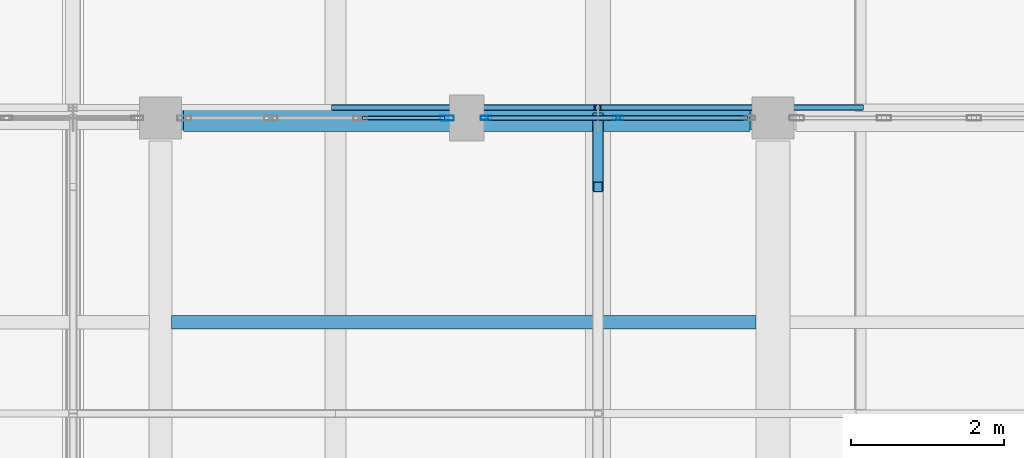
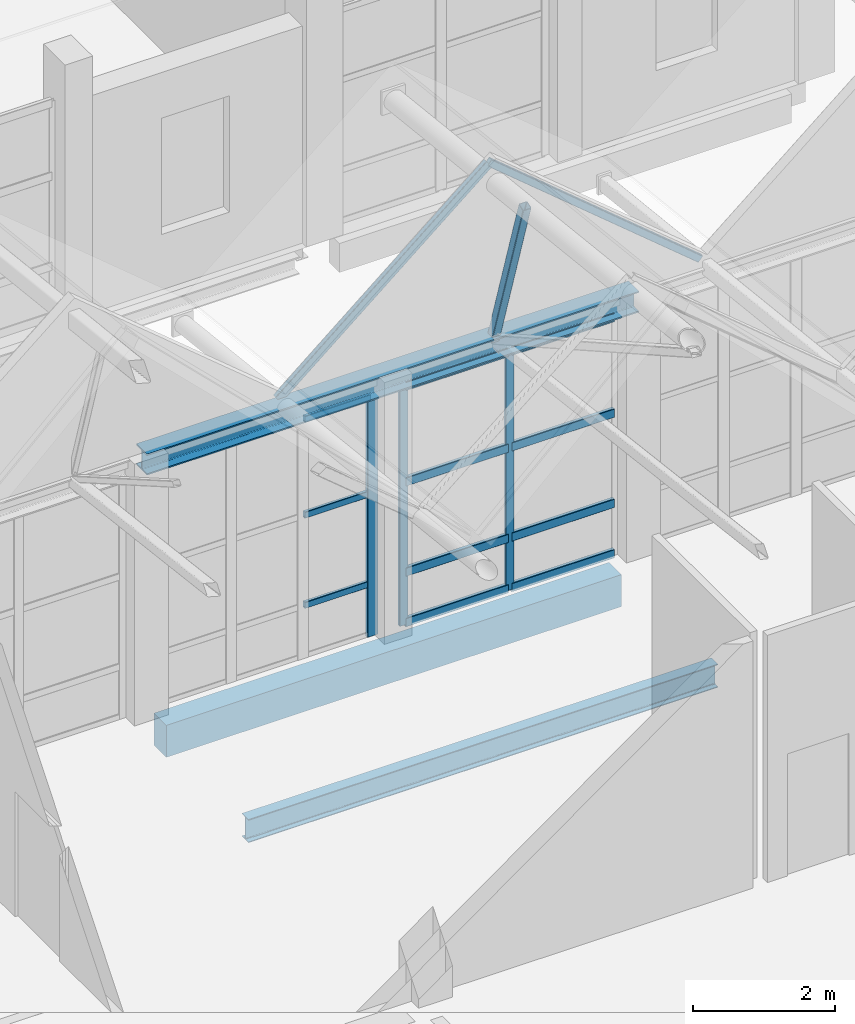
# One storey, part 82 of 183: 17 members, 3 beams, 2 elements without a shape of their own.
"""IFC4 building model written with IfcOpenShell, lengths in metres."""

from ifc_helpers import new_model, si_unit, direction, frame, origin, origin_2d, place, context, subcontext, project, spatial, rectangle, hollow_rectangle, i_section, extrude, material, material_profile, profile_set, type_object, element, aggregate, save


model = new_model("IFC4")

# Units and contexts
model_context = context("Model", 3, precision=1e-05, world=origin(), true_north=direction((0.0, 1.0)))
body_context = subcontext(model_context, "Body", "Model", "MODEL_VIEW")
ifc_project = project(units=[si_unit("LENGTHUNIT", "METRE"), si_unit("AREAUNIT", "SQUARE_METRE"), si_unit("VOLUMEUNIT", "CUBIC_METRE"), si_unit("PLANEANGLEUNIT", "RADIAN"), si_unit("MASSUNIT", "GRAM", prefix="KILO")], contexts=[model_context])

# Site, building, storey
site_placement = place(None, origin())
site = spatial("IfcSite", under=ifc_project, at=site_placement, CompositionType="ELEMENT")
building_placement = place(site_placement, origin())
building = spatial("IfcBuilding", under=site, at=building_placement, Name="Luwemba Playhouse", CompositionType="ELEMENT")
storey_placement = place(building_placement, frame((0.0, 0.0, 4.800048828125)))
storey = spatial("IfcBuildingStorey", under=building, at=storey_placement, Name="L01", CompositionType="ELEMENT", Elevation=4.800048828125)

# Beams
ifc_material_1 = material(Name="Steel S355", Category="steel")
ifc_material_profile_1 = material_profile(ifc_material_1, i_section(OverallWidth=0.300048828125, OverallDepth=0.360107421875, WebThickness=0.012451171875, FlangeThickness=0.0224609375, FilletRadius=0.027099609375, at=origin_2d()))
ifc_profile_set_1 = profile_set([ifc_material_profile_1], Name="Steel S355")
beam_type_1 = type_object("IfcBeamType", Name="BM-SB09", PredefinedType="BEAM", material=ifc_profile_set_1)
beam_1_placement = place(storey_placement, frame((156.0, 27.0, 4.320068359375), z_axis=(1.0, 0.0, 0.0), x_axis=(0.0, 1.0, 0.0)))
element("IfcBeam", 1, at=beam_1_placement, inside=storey, type_object=beam_type_1, Name="RF-V5E eave ring beam 0301", PredefinedType="BEAM", context=body_context, shape_type="SweptSolid", body=[
    extrude(i_section(OverallWidth=0.300048828125, OverallDepth=0.360107421875, WebThickness=0.012451171875, FlangeThickness=0.0224609375, FilletRadius=0.027099609375, at=origin_2d()), origin(), (0.0, 0.0, 1.0), 8.0),
])
ifc_material_profile_2 = material_profile(ifc_material_1, i_section(OverallWidth=0.179931640625, OverallDepth=0.39990234375, WebThickness=0.008544921875, FlangeThickness=0.013427734375, FilletRadius=0.02099609375, at=origin_2d()))
ifc_profile_set_2 = profile_set([ifc_material_profile_2], Name="Steel S355")
beam_type_2 = type_object("IfcBeamType", Name="BM-SJ08", PredefinedType="JOIST", material=ifc_profile_set_2)
beam_2_placement = place(storey_placement, frame((156.14599609375, 24.333251953125, -0.449951171875), z_axis=(1.0, 0.0, 0.0), x_axis=(0.0, 1.0, 0.0)))
element("IfcBeam", 2, at=beam_2_placement, inside=storey, type_object=beam_type_2, Name="L01 composite floor joist 0333", PredefinedType="JOIST", context=body_context, shape_type="SweptSolid", body=[
    extrude(i_section(OverallWidth=0.179931640625, OverallDepth=0.39990234375, WebThickness=0.008544921875, FlangeThickness=0.013427734375, FilletRadius=0.02099609375, at=origin_2d()), origin(), (0.0, 0.0, 1.0), 7.633056640625),
])
ifc_material_2 = material(Name="Concrete C40/50", Category="concrete")
ifc_material_profile_3 = material_profile(ifc_material_2, rectangle(XDim=0.35009765625, YDim=0.550048828125, at=origin_2d()))
ifc_profile_set_3 = profile_set([ifc_material_profile_3], Name="Concrete C40/50")
beam_type_3 = type_object("IfcBeamType", Name="BM-SP2", PredefinedType="SPANDREL", material=ifc_profile_set_3)
beam_3_placement = place(storey_placement, frame((156.300048828125, 27.0, -0.525146484375), z_axis=(1.0, 0.0, 0.0), x_axis=(0.0, 1.0, 0.0)))
element("IfcBeam", 3, at=beam_3_placement, inside=storey, type_object=beam_type_3, Name="L01 grid girder 0541", PredefinedType="SPANDREL", context=body_context, shape_type="SweptSolid", body=[
    extrude(rectangle(XDim=0.35009765625, YDim=0.550048828125, at=origin_2d()), origin(), (0.0, 0.0, 1.0), 7.39990234375),
])

# Curtain wall, member
ifc_material_3 = material(Name="Solar-control double glazing", Category="glass")
curtain_wall_type_1 = type_object("IfcCurtainWallType", Name="CW-CW125", PredefinedType="USERDEFINED", material=ifc_material_3)
curtain_wall_1_placement = place(storey_placement, origin())
curtain_wall_1 = element("IfcCurtainWall", 4, at=curtain_wall_1_placement, inside=storey, type_object=curtain_wall_type_1, Name="L01 V5E unitised curtain wall 163", ObjectType="UNITISED GLAZING", PredefinedType="USERDEFINED")
ifc_material_4 = material(Name="Aluminium 6063-T6", Category="aluminium")
ifc_material_profile_4 = material_profile(ifc_material_4, hollow_rectangle(XDim=0.06494140625, YDim=0.179931640625, WallThickness=0.00439453125, InnerFilletRadius=0.0068359375, OuterFilletRadius=0.01123046875, at=origin_2d()))
ifc_profile_set_4 = profile_set([ifc_material_profile_4], Name="Aluminium 6063-T6")
member_type_1 = type_object("IfcMemberType", Name="CWM-M2", PredefinedType="MULLION", material=ifc_profile_set_4)
member_1_placement = place(storey_placement, frame((159.742431640625, 27.0, 0.0), z_axis=(0.0, 0.0, 1.0), x_axis=(0.0, 1.0, 0.0)))
member_1 = element("IfcMember", 5, at=member_1_placement, type_object=member_type_1, Name="CW125 mullion 4", PredefinedType="MULLION", context=body_context, shape_type="SweptSolid", body=[
    extrude(hollow_rectangle(XDim=0.06494140625, YDim=0.179931640625, WallThickness=0.00439453125, InnerFilletRadius=0.0068359375, OuterFilletRadius=0.01123046875, at=origin_2d()), origin(), (0.0, 0.0, 1.0), 4.125),
])

# Curtain wall, members
curtain_wall_type_2 = type_object("IfcCurtainWallType", Name="CW-CW126", PredefinedType="USERDEFINED", material=ifc_material_3)
curtain_wall_2_placement = place(storey_placement, origin())
curtain_wall_2 = element("IfcCurtainWall", 6, at=curtain_wall_2_placement, inside=storey, type_object=curtain_wall_type_2, Name="L01 V5E unitised curtain wall 164", ObjectType="UNITISED GLAZING", PredefinedType="USERDEFINED")
ifc_material_profile_5 = material_profile(ifc_material_4, hollow_rectangle(XDim=0.054931640625, YDim=0.139892578125, WallThickness=0.00390625, InnerFilletRadius=0.006103515625, OuterFilletRadius=0.010009765625, at=origin_2d()))
ifc_profile_set_5 = profile_set([ifc_material_profile_5], Name="Aluminium 6063-T6")
member_type_2 = type_object("IfcMemberType", Name="CWM-M3", PredefinedType="MULLION", material=ifc_profile_set_5)
member_2_placement = place(storey_placement, frame((160.25244140625, 27.0, 0.0), z_axis=(0.0, 0.0, 1.0), x_axis=(0.0, 1.0, 0.0)))
member_2 = element("IfcMember", 7, at=member_2_placement, type_object=member_type_2, Name="CW126 mullion 1", PredefinedType="MULLION", context=body_context, shape_type="SweptSolid", body=[
    extrude(hollow_rectangle(XDim=0.054931640625, YDim=0.139892578125, WallThickness=0.00390625, InnerFilletRadius=0.006103515625, OuterFilletRadius=0.010009765625, at=origin_2d()), origin(), (0.0, 0.0, 1.0), 4.125),
])
member_3_placement = place(storey_placement, frame((161.97509765625, 27.0, 0.0), z_axis=(0.0, 0.0, 1.0), x_axis=(0.0, 1.0, 0.0)))
member_3 = element("IfcMember", 8, at=member_3_placement, type_object=member_type_2, Name="CW126 mullion 2", PredefinedType="MULLION", context=body_context, shape_type="SweptSolid", body=[
    extrude(hollow_rectangle(XDim=0.054931640625, YDim=0.139892578125, WallThickness=0.00390625, InnerFilletRadius=0.006103515625, OuterFilletRadius=0.010009765625, at=origin_2d()), origin(), (0.0, 0.0, 1.0), 4.125),
])

# Member
ifc_material_profile_6 = material_profile(ifc_material_4, hollow_rectangle(XDim=0.054931640625, YDim=0.110107421875, WallThickness=0.00341796875, InnerFilletRadius=0.00537109375, OuterFilletRadius=0.0087890625, at=origin_2d()))
ifc_profile_set_6 = profile_set([ifc_material_profile_6], Name="Aluminium 6063-T6")
member_type_3 = type_object("IfcMemberType", Name="CWT-T2", PredefinedType="USERDEFINED", material=ifc_profile_set_6)
member_4_placement = place(storey_placement, frame((158.640869140625, 27.0, 0.89990234375), z_axis=(1.0, 0.0, 0.0), x_axis=(0.0, 1.0, 0.0)))
member_4 = element("IfcMember", 9, at=member_4_placement, type_object=member_type_3, Name="CW125 transom 3.2", ObjectType="TRANSOM", PredefinedType="USERDEFINED", context=body_context, shape_type="SweptSolid", body=[
    extrude(hollow_rectangle(XDim=0.054931640625, YDim=0.110107421875, WallThickness=0.00341796875, InnerFilletRadius=0.00537109375, OuterFilletRadius=0.0087890625, at=origin_2d()), origin(), (0.0, 0.0, 1.0), 1.069091796875),
])

member_5_placement = place(storey_placement, frame((158.640869140625, 27.0, 2.449951171875), z_axis=(1.0, 0.0, 0.0), x_axis=(0.0, 1.0, 0.0)))
member_5 = element("IfcMember", 10, at=member_5_placement, type_object=member_type_3, Name="CW125 transom 3.3", ObjectType="TRANSOM", PredefinedType="USERDEFINED", context=body_context, shape_type="SweptSolid", body=[
    extrude(hollow_rectangle(XDim=0.054931640625, YDim=0.110107421875, WallThickness=0.00341796875, InnerFilletRadius=0.00537109375, OuterFilletRadius=0.0087890625, at=origin_2d()), origin(), (0.0, 0.0, 1.0), 1.069091796875),
])

member_6_placement = place(storey_placement, frame((158.640869140625, 27.0, 4.097412109375), z_axis=(1.0, 0.0, 0.0), x_axis=(0.0, 1.0, 0.0)))
member_6 = element("IfcMember", 11, at=member_6_placement, type_object=member_type_3, Name="CW125 transom 3.4", ObjectType="TRANSOM", PredefinedType="USERDEFINED", context=body_context, shape_type="SweptSolid", body=[
    extrude(hollow_rectangle(XDim=0.054931640625, YDim=0.110107421875, WallThickness=0.00341796875, InnerFilletRadius=0.00537109375, OuterFilletRadius=0.0087890625, at=origin_2d()), origin(), (0.0, 0.0, 1.0), 1.069091796875),
])

aggregate(curtain_wall_1, [member_1, member_4, member_5, member_6])

ifc_material_profile_7 = material_profile(ifc_material_4, hollow_rectangle(XDim=0.06494140625, YDim=0.14990234375, WallThickness=0.00390625, InnerFilletRadius=0.006103515625, OuterFilletRadius=0.010009765625, at=origin_2d()))
ifc_profile_set_7 = profile_set([ifc_material_profile_7], Name="Aluminium 6063-T6")
member_type_4 = type_object("IfcMemberType", Name="CWT-T3", PredefinedType="USERDEFINED", material=ifc_profile_set_7)
member_7_placement = place(storey_placement, frame((160.280029296875, 27.0, 0.032470703125), z_axis=(1.0, 0.0, 0.0), x_axis=(0.0, 1.0, 0.0)))
member_7 = element("IfcMember", 12, at=member_7_placement, type_object=member_type_4, Name="CW126 transom 1.1", ObjectType="TRANSOM", PredefinedType="USERDEFINED", context=body_context, shape_type="SweptSolid", body=[
    extrude(hollow_rectangle(XDim=0.06494140625, YDim=0.14990234375, WallThickness=0.00390625, InnerFilletRadius=0.006103515625, OuterFilletRadius=0.010009765625, at=origin_2d()), origin(), (0.0, 0.0, 1.0), 1.66748046875),
])

member_8_placement = place(storey_placement, frame((160.280029296875, 27.0, 0.89990234375), z_axis=(1.0, 0.0, 0.0), x_axis=(0.0, 1.0, 0.0)))
member_8 = element("IfcMember", 13, at=member_8_placement, type_object=member_type_4, Name="CW126 transom 1.2", ObjectType="TRANSOM", PredefinedType="USERDEFINED", context=body_context, shape_type="SweptSolid", body=[
    extrude(hollow_rectangle(XDim=0.06494140625, YDim=0.14990234375, WallThickness=0.00390625, InnerFilletRadius=0.006103515625, OuterFilletRadius=0.010009765625, at=origin_2d()), origin(), (0.0, 0.0, 1.0), 1.66748046875),
])

member_9_placement = place(storey_placement, frame((160.280029296875, 27.0, 2.449951171875), z_axis=(1.0, 0.0, 0.0), x_axis=(0.0, 1.0, 0.0)))
member_9 = element("IfcMember", 14, at=member_9_placement, type_object=member_type_4, Name="CW126 transom 1.3", ObjectType="TRANSOM", PredefinedType="USERDEFINED", context=body_context, shape_type="SweptSolid", body=[
    extrude(hollow_rectangle(XDim=0.06494140625, YDim=0.14990234375, WallThickness=0.00390625, InnerFilletRadius=0.006103515625, OuterFilletRadius=0.010009765625, at=origin_2d()), origin(), (0.0, 0.0, 1.0), 1.66748046875),
])

member_10_placement = place(storey_placement, frame((160.280029296875, 27.0, 4.092529296875), z_axis=(1.0, 0.0, 0.0), x_axis=(0.0, 1.0, 0.0)))
member_10 = element("IfcMember", 15, at=member_10_placement, type_object=member_type_4, Name="CW126 transom 1.4", ObjectType="TRANSOM", PredefinedType="USERDEFINED", context=body_context, shape_type="SweptSolid", body=[
    extrude(hollow_rectangle(XDim=0.06494140625, YDim=0.14990234375, WallThickness=0.00390625, InnerFilletRadius=0.006103515625, OuterFilletRadius=0.010009765625, at=origin_2d()), origin(), (0.0, 0.0, 1.0), 1.66748046875),
])

member_11_placement = place(storey_placement, frame((162.00244140625, 27.0, 0.032470703125), z_axis=(1.0, 0.0, 0.0), x_axis=(0.0, 1.0, 0.0)))
member_11 = element("IfcMember", 16, at=member_11_placement, type_object=member_type_4, Name="CW126 transom 2.1", ObjectType="TRANSOM", PredefinedType="USERDEFINED", context=body_context, shape_type="SweptSolid", body=[
    extrude(hollow_rectangle(XDim=0.06494140625, YDim=0.14990234375, WallThickness=0.00390625, InnerFilletRadius=0.006103515625, OuterFilletRadius=0.010009765625, at=origin_2d()), origin(), (0.0, 0.0, 1.0), 1.66748046875),
])

member_12_placement = place(storey_placement, frame((162.00244140625, 27.0, 0.89990234375), z_axis=(1.0, 0.0, 0.0), x_axis=(0.0, 1.0, 0.0)))
member_12 = element("IfcMember", 17, at=member_12_placement, type_object=member_type_4, Name="CW126 transom 2.2", ObjectType="TRANSOM", PredefinedType="USERDEFINED", context=body_context, shape_type="SweptSolid", body=[
    extrude(hollow_rectangle(XDim=0.06494140625, YDim=0.14990234375, WallThickness=0.00390625, InnerFilletRadius=0.006103515625, OuterFilletRadius=0.010009765625, at=origin_2d()), origin(), (0.0, 0.0, 1.0), 1.66748046875),
])

member_13_placement = place(storey_placement, frame((162.00244140625, 27.0, 2.449951171875), z_axis=(1.0, 0.0, 0.0), x_axis=(0.0, 1.0, 0.0)))
member_13 = element("IfcMember", 18, at=member_13_placement, type_object=member_type_4, Name="CW126 transom 2.3", ObjectType="TRANSOM", PredefinedType="USERDEFINED", context=body_context, shape_type="SweptSolid", body=[
    extrude(hollow_rectangle(XDim=0.06494140625, YDim=0.14990234375, WallThickness=0.00390625, InnerFilletRadius=0.006103515625, OuterFilletRadius=0.010009765625, at=origin_2d()), origin(), (0.0, 0.0, 1.0), 1.66748046875),
])

member_14_placement = place(storey_placement, frame((162.00244140625, 27.0, 4.092529296875), z_axis=(1.0, 0.0, 0.0), x_axis=(0.0, 1.0, 0.0)))
member_14 = element("IfcMember", 19, at=member_14_placement, type_object=member_type_4, Name="CW126 transom 2.4", ObjectType="TRANSOM", PredefinedType="USERDEFINED", context=body_context, shape_type="SweptSolid", body=[
    extrude(hollow_rectangle(XDim=0.06494140625, YDim=0.14990234375, WallThickness=0.00390625, InnerFilletRadius=0.006103515625, OuterFilletRadius=0.010009765625, at=origin_2d()), origin(), (0.0, 0.0, 1.0), 1.66748046875),
])

aggregate(curtain_wall_2, [member_2, member_3, member_7, member_8, member_9, member_10, member_11, member_12, member_13, member_14])

# Members
ifc_material_profile_8 = material_profile(ifc_material_1, hollow_rectangle(XDim=0.139892578125, YDim=0.139892578125, WallThickness=0.008056640625, InnerFilletRadius=0.011962890625, OuterFilletRadius=0.02001953125, at=origin_2d()))
ifc_profile_set_8 = profile_set([ifc_material_profile_8], Name="Steel S355")
member_type_5 = type_object("IfcMemberType", Name="MEM-MB07", PredefinedType="BRACE", material=ifc_profile_set_8)
member_15_placement = place(storey_placement, frame((161.71435546875, 27.0, 4.39990234375), z_axis=(0.0, -0.303860291907, 0.95271660162), x_axis=(1.0, 0.0, 0.0)))
element("IfcMember", 20, at=member_15_placement, inside=storey, type_object=member_type_5, Name="ROOF TRUSS eave knee strut 0083", PredefinedType="BRACE", context=body_context, shape_type="SweptSolid", body=[
    extrude(hollow_rectangle(XDim=0.139892578125, YDim=0.139892578125, WallThickness=0.008056640625, InnerFilletRadius=0.011962890625, OuterFilletRadius=0.02001953125, at=origin_2d()), origin(), (0.0, 0.0, 1.0), 2.961669921875),
])
ifc_material_profile_9 = material_profile(ifc_material_1, hollow_rectangle(XDim=0.080078125, YDim=0.1201171875, WallThickness=0.00634765625, InnerFilletRadius=0.009521484375, OuterFilletRadius=0.015869140625, at=origin_2d()))
ifc_profile_set_9 = profile_set([ifc_material_profile_9], Name="Steel S355")
member_type_6 = type_object("IfcMemberType", Name="MEM-MP01", PredefinedType="PURLIN", material=ifc_profile_set_9)
member_16_placement = place(storey_placement, frame((161.71435546875, 27.135986328125, 7.357177734375), z_axis=(0.768342353216, 0.0, -0.640039083381), x_axis=(0.0, 1.0, 0.0)))
element("IfcMember", 21, at=member_16_placement, inside=storey, type_object=member_type_6, Name="Pleated roof purlin 0600", PredefinedType="PURLIN", context=body_context, shape_type="SweptSolid", body=[
    extrude(hollow_rectangle(XDim=0.080078125, YDim=0.1201171875, WallThickness=0.00634765625, InnerFilletRadius=0.009521484375, OuterFilletRadius=0.015869140625, at=origin_2d()), origin(), (0.0, 0.0, 1.0), 4.462158203125),
])
ifc_material_profile_10 = material_profile(ifc_material_1, hollow_rectangle(XDim=0.080078125, YDim=0.159912109375, WallThickness=0.00634765625, InnerFilletRadius=0.009521484375, OuterFilletRadius=0.015869140625, at=origin_2d()))
ifc_profile_set_10 = profile_set([ifc_material_profile_10], Name="Steel S355")
member_type_7 = type_object("IfcMemberType", Name="MEM-MP03", PredefinedType="PURLIN", material=ifc_profile_set_10)
member_17_placement = place(storey_placement, frame((158.28564453125, 27.135986328125, 4.481201171875), z_axis=(0.768364765209, 0.0, 0.640012177685), x_axis=(0.0, 1.0, 0.0)))
element("IfcMember", 22, at=member_17_placement, inside=storey, type_object=member_type_7, Name="Pleated roof purlin 0594", PredefinedType="PURLIN", context=body_context, shape_type="SweptSolid", body=[
    extrude(hollow_rectangle(XDim=0.080078125, YDim=0.159912109375, WallThickness=0.00634765625, InnerFilletRadius=0.009521484375, OuterFilletRadius=0.015869140625, at=origin_2d()), origin(), (0.0, 0.0, 1.0), 4.46240234375),
])

save(model, "model.ifc")
